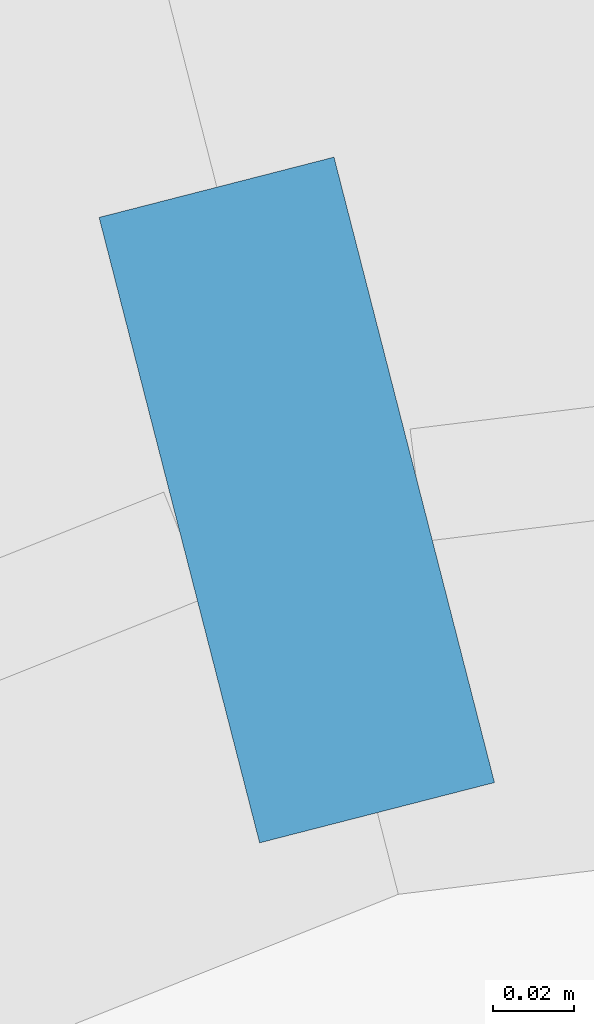
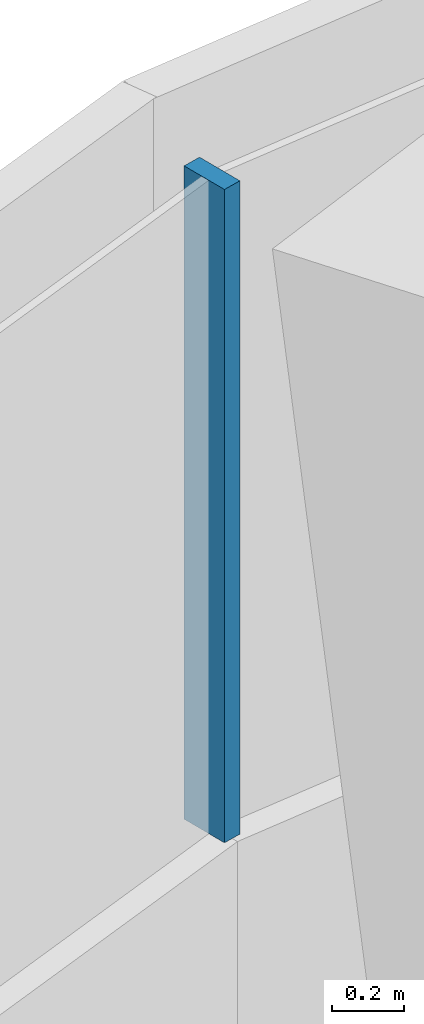
# One storey, part 17 of 32: 1 member, 1 element without a shape of its own.
"""IFC4 building model written with IfcOpenShell, lengths in metres."""

from ifc_helpers import new_model, si_unit, direction, frame, origin, origin_2d, place, context, subcontext, project, spatial, rectangle, extrude, material, layer, layer_set, material_profile, profile_set, type_object, element, aggregate, save


model = new_model("IFC4")

# Units and contexts
model_context = context("Model", 3, precision=1e-05, world=origin(), true_north=direction((0.0, 1.0)))
body_context = subcontext(model_context, "Body", "Model", "MODEL_VIEW")
ifc_project = project(units=[si_unit("LENGTHUNIT", "METRE"), si_unit("AREAUNIT", "SQUARE_METRE"), si_unit("VOLUMEUNIT", "CUBIC_METRE"), si_unit("PLANEANGLEUNIT", "RADIAN"), si_unit("MASSUNIT", "GRAM", prefix="KILO")], contexts=[model_context])

# Site, building, storey
site_placement = place(None, origin())
site = spatial("IfcSite", under=ifc_project, at=site_placement, CompositionType="ELEMENT")
building_placement = place(site_placement, origin())
building = spatial("IfcBuilding", under=site, at=building_placement, Name="Tamarind Cross Interchange Tower", CompositionType="ELEMENT")
storey_placement = place(building_placement, frame((0.0, 0.0, 113.5)))
storey = spatial("IfcBuildingStorey", under=building, at=storey_placement, Name="L27", CompositionType="ELEMENT", Elevation=113.5)

# Curtain wall, member
ifc_material = material(Name="Aluminium 6063-T6", Category="aluminium")
ifc_layer = layer(ifc_material, 0.159912109375)
ifc_layer_set = layer_set([ifc_layer], Name="Aluminium 6063-T6")
curtain_wall_type = type_object("IfcCurtainWallType", Name="Office curtain wall, 9.0 m bays", PredefinedType="NOTDEFINED", material=ifc_layer_set)
curtain_wall_placement = place(storey_placement, origin())
curtain_wall = element("IfcCurtainWall", 1, at=curtain_wall_placement, inside=storey, type_object=curtain_wall_type, Name="CWS-L27-09", PredefinedType="NOTDEFINED")
ifc_material_profile = material_profile(ifc_material, rectangle(XDim=0.06005859375, YDim=0.159912109375, at=origin_2d()), Name="Mullion CW1")
ifc_profile_set = profile_set([ifc_material_profile], Name="Aluminium 6063-T6")
member_type = type_object("IfcMemberType", Name="Mullion CW1", PredefinedType="MULLION", material=ifc_profile_set)
member_placement = place(storey_placement, frame((42.828369140625, 15.72119140625, 1.39990234375), z_axis=(0.0, 0.0, 1.0), x_axis=(-0.968610318371, -0.248584092702, 0.0)))
member = element("IfcMember", 2, at=member_placement, type_object=member_type, Name="CWM-L27-09-00", PredefinedType="MULLION", context=body_context, shape_type="SweptSolid", body=[
    extrude(rectangle(XDim=0.06005859375, YDim=0.159912109375, at=origin_2d()), origin(), (0.0, 0.0, 1.0), 2.210205078125),
])
aggregate(curtain_wall, [member])

save(model, "model.ifc")
